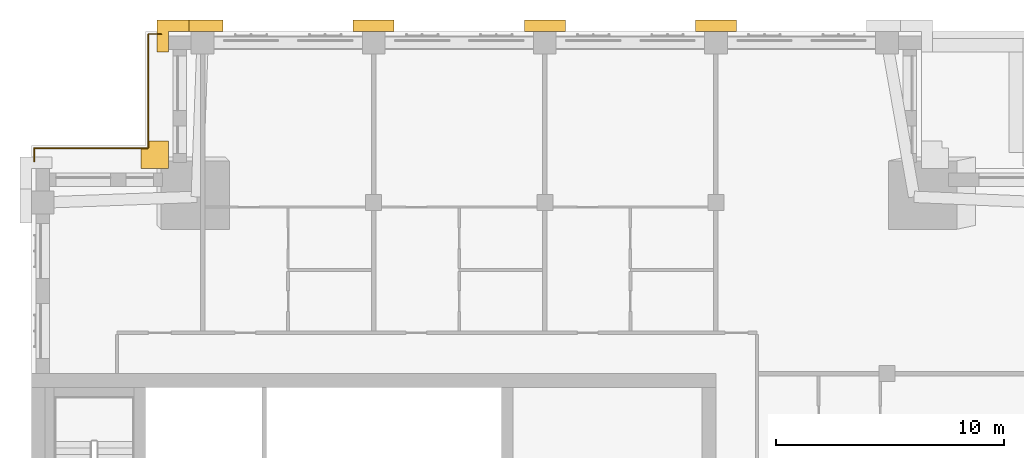
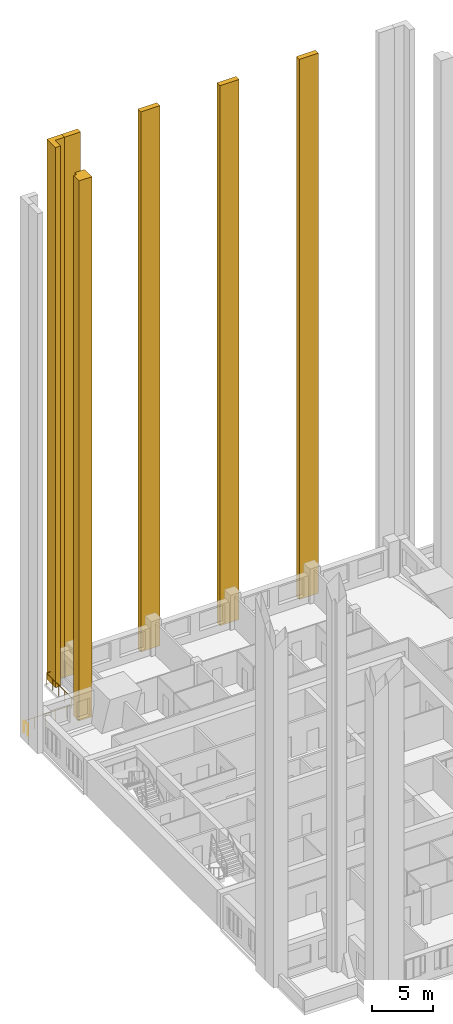
# One storey, part 11 of 12: 6 coverings, 2 railings.
"""IFC4 building model written with IfcOpenShell, lengths in metres."""

from ifc_helpers import new_model, si_unit, direction, frame, origin, origin_2d, place, context, subcontext, project, spatial, polyline, circle, outline, extrude, material, layer, layer_set, type_object, element, save


model = new_model("IFC4")

# Units and contexts
model_context = context("Model", 3, precision=1e-05, world=origin(), true_north=direction((0.0, 1.0)))
body_context = subcontext(model_context, "Body", "Model", "MODEL_VIEW")
ifc_project = project(units=[si_unit("LENGTHUNIT", "METRE"), si_unit("AREAUNIT", "SQUARE_METRE"), si_unit("VOLUMEUNIT", "CUBIC_METRE"), si_unit("PLANEANGLEUNIT", "RADIAN"), si_unit("MASSUNIT", "GRAM", prefix="KILO")], contexts=[model_context])

# Site, building, storey
site_placement = place(None, origin())
site = spatial("IfcSite", under=ifc_project, at=site_placement, CompositionType="ELEMENT")
building_placement = place(site_placement, origin())
building = spatial("IfcBuilding", under=site, at=building_placement, Name="Tamorin Gate", CompositionType="ELEMENT")
storey_placement = place(building_placement, frame((0.0, 0.0, 266.199951171875)))
storey = spatial("IfcBuildingStorey", under=building, at=storey_placement, Name="L66", CompositionType="ELEMENT", Elevation=266.199951171875)

# Coverings
ifc_material_1 = material(Name="Precast concrete C40/50", Category="concrete")
ifc_layer_1 = layer(ifc_material_1, 0.5)
ifc_layer_set_1 = layer_set([ifc_layer_1], Name="Corner pier cladding 500")
covering_type_1 = type_object("IfcCoveringType", Name="Corner pier cladding 500", PredefinedType="CLADDING", material=ifc_layer_set_1)
covering_1_placement = place(storey_placement, origin())
element("IfcCovering", 1, at=covering_1_placement, inside=storey, type_object=covering_type_1, Name="Corner pier", PredefinedType="CLADDING", context=body_context, shape_type="SweptSolid", body=[
    extrude(outline(polyline([(35.5, 98.0), (36.89990234375, 98.0), (36.89990234375, 97.5), (36.0, 97.5), (36.0, 96.60009765625), (35.5, 96.60009765625), (35.5, 98.0)])), origin(), (0.0, 0.0, 1.0), 54.0),
])
ifc_layer_2 = layer(ifc_material_1, 0.89990234375)
ifc_layer_set_2 = layer_set([ifc_layer_2], Name="Corner pier cladding 900")
covering_type_2 = type_object("IfcCoveringType", Name="Corner pier cladding 900", PredefinedType="CLADDING", material=ifc_layer_set_2)
covering_2_placement = place(storey_placement, origin())
element("IfcCovering", 2, at=covering_2_placement, inside=storey, type_object=covering_type_2, Name="Corner pier", PredefinedType="CLADDING", context=body_context, shape_type="SweptSolid", body=[
    extrude(outline(polyline([(35.10009765625, 92.39990234375), (35.10009765625, 92.699951171875), (36.0, 92.699951171875), (36.0, 91.5), (34.800048828125, 91.5), (34.800048828125, 92.39990234375), (35.10009765625, 92.39990234375)])), origin(), (0.0, 0.0, 1.0), 54.0),
])
ifc_layer_3 = layer(ifc_material_1, 0.5)
ifc_layer_set_3 = layer_set([ifc_layer_3], Name="Precast concrete C40/50")
covering_type_3 = type_object("IfcCoveringType", Name="Precast pier 1800x500", PredefinedType="CLADDING", material=ifc_layer_set_3)
covering_3_placement = place(storey_placement, origin())
element("IfcCovering", 3, at=covering_3_placement, inside=storey, type_object=covering_type_3, Name="Precast pier", PredefinedType="CLADDING", context=body_context, shape_type="SweptSolid", body=[
    extrude(outline(polyline([(36.89990234375, 97.5), (36.89990234375, 98.0), (38.39990234375, 98.0), (38.39990234375, 97.5), (36.89990234375, 97.5)])), origin(), (0.0, 0.0, 1.0), 54.0),
])
covering_4_placement = place(storey_placement, origin())
element("IfcCovering", 4, at=covering_4_placement, inside=storey, type_object=covering_type_3, Name="Precast pier", PredefinedType="CLADDING", context=body_context, shape_type="SweptSolid", body=[
    extrude(outline(polyline([(45.89990234375, 97.5), (44.10009765625, 97.5), (44.10009765625, 98.0), (45.89990234375, 98.0), (45.89990234375, 97.5)])), origin(), (0.0, 0.0, 1.0), 54.0),
])
covering_5_placement = place(storey_placement, origin())
element("IfcCovering", 5, at=covering_5_placement, inside=storey, type_object=covering_type_3, Name="Precast pier", PredefinedType="CLADDING", context=body_context, shape_type="SweptSolid", body=[
    extrude(outline(polyline([(53.39990234375, 97.5), (51.60009765625, 97.5), (51.60009765625, 98.0), (53.39990234375, 98.0), (53.39990234375, 97.5)])), origin(), (0.0, 0.0, 1.0), 54.0),
])
covering_6_placement = place(storey_placement, origin())
element("IfcCovering", 6, at=covering_6_placement, inside=storey, type_object=covering_type_3, Name="Precast pier", PredefinedType="CLADDING", context=body_context, shape_type="SweptSolid", body=[
    extrude(outline(polyline([(60.89990234375, 97.5), (59.10009765625, 97.5), (59.10009765625, 98.0), (60.89990234375, 98.0), (60.89990234375, 97.5)])), origin(), (0.0, 0.0, 1.0), 54.0),
])

# Railings
ifc_material_2 = material(Name="Stainless steel", Category="steel")
railing_type = type_object("IfcRailingType", Name="Terrace guard 1150", PredefinedType="GUARDRAIL", material=ifc_material_2)
railing_1_placement = place(storey_placement, frame((30.1201171875, 92.3798828125, 0.0)))
element("IfcRailing", 7, at=railing_1_placement, inside=storey, type_object=railing_type, Name="Deck edge guard", PredefinedType="GUARDRAIL", context=body_context, shape_type="SweptSolid", body=[
    extrude(circle(Radius=0.02392578125, at=origin_2d()), frame((0.0, 0.0, 1.1259765625), z_axis=(1.0, 0.0, 0.0), x_axis=(0.0, 1.0, 0.0)), (0.0, 0.0, 1.0), 5.0),
    extrude(circle(Radius=0.02392578125, at=origin_2d()), frame((5.0, 0.0, 1.1259765625), z_axis=(0.0, 1.0, 0.0), x_axis=(-1.0, 0.0, 0.0)), (0.0, 0.0, 1.0), 5.0),
    extrude(circle(Radius=0.02392578125, at=origin_2d()), frame((5.0, 5.0, 1.1259765625), z_axis=(1.0, 0.0, 0.0), x_axis=(0.0, 1.0, 0.0)), (0.0, 0.0, 1.0), 0.579833984375),
    extrude(circle(Radius=0.02099609375, at=origin_2d()), origin(), (0.0, 0.0, 1.0), 1.101806640625),
    extrude(circle(Radius=0.02099609375, at=origin_2d()), frame((1.0, 0.0, 0.0)), (0.0, 0.0, 1.0), 1.101806640625),
    extrude(circle(Radius=0.02099609375, at=origin_2d()), frame((2.0, 0.0, 0.0)), (0.0, 0.0, 1.0), 1.101806640625),
    extrude(circle(Radius=0.02099609375, at=origin_2d()), frame((3.0, 0.0, 0.0)), (0.0, 0.0, 1.0), 1.101806640625),
    extrude(circle(Radius=0.02099609375, at=origin_2d()), frame((4.0, 0.0, 0.0)), (0.0, 0.0, 1.0), 1.101806640625),
    extrude(circle(Radius=0.02099609375, at=origin_2d()), frame((5.0, 0.0, 0.0)), (0.0, 0.0, 1.0), 1.101806640625),
    extrude(circle(Radius=0.02099609375, at=origin_2d()), frame((5.0, 1.0, 0.0)), (0.0, 0.0, 1.0), 1.101806640625),
    extrude(circle(Radius=0.02099609375, at=origin_2d()), frame((5.0, 2.0, 0.0)), (0.0, 0.0, 1.0), 1.101806640625),
    extrude(circle(Radius=0.02099609375, at=origin_2d()), frame((5.0, 3.0, 0.0)), (0.0, 0.0, 1.0), 1.101806640625),
    extrude(circle(Radius=0.02099609375, at=origin_2d()), frame((5.0, 4.0, 0.0)), (0.0, 0.0, 1.0), 1.101806640625),
    extrude(circle(Radius=0.02099609375, at=origin_2d()), frame((5.0, 5.0, 0.0)), (0.0, 0.0, 1.0), 1.101806640625),
    extrude(circle(Radius=0.02099609375, at=origin_2d()), frame((5.579833984375, 5.0, 0.0)), (0.0, 0.0, 1.0), 1.101806640625),
])
railing_2_placement = place(storey_placement, frame((30.1201171875, 91.800048828125, 0.0)))
element("IfcRailing", 8, at=railing_2_placement, inside=storey, type_object=railing_type, Name="Deck edge guard", PredefinedType="GUARDRAIL", context=body_context, shape_type="SweptSolid", body=[
    extrude(circle(Radius=0.02392578125, at=origin_2d()), frame((0.0, 0.0, 1.1259765625), z_axis=(0.0, 1.0, 0.0), x_axis=(-1.0, 0.0, 0.0)), (0.0, 0.0, 1.0), 0.579833984375),
    extrude(circle(Radius=0.02099609375, at=origin_2d()), origin(), (0.0, 0.0, 1.0), 1.101806640625),
    extrude(circle(Radius=0.02099609375, at=origin_2d()), frame((0.0, 0.579833984375, 0.0)), (0.0, 0.0, 1.0), 1.101806640625),
])

save(model, "model.ifc")
